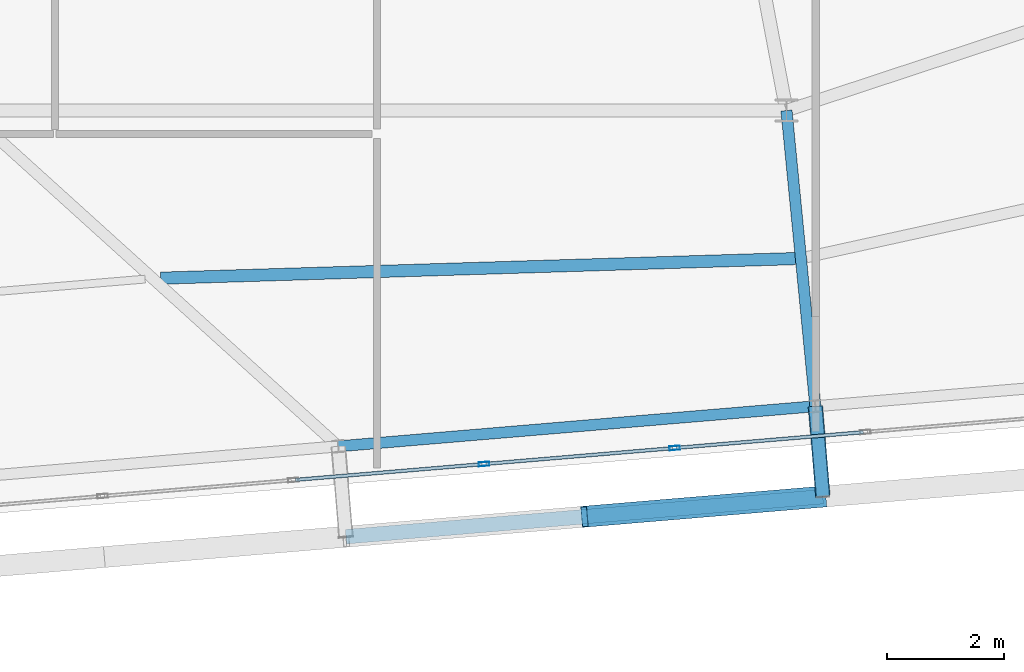
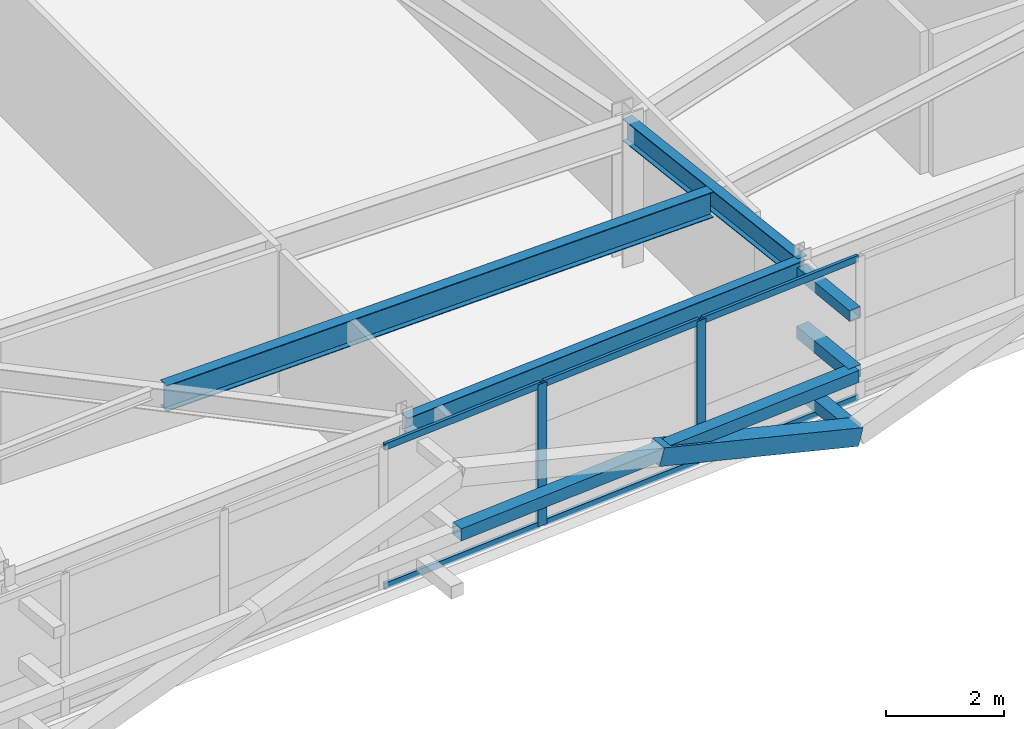
# One storey, part 12 of 46: 13 members, 3 beams, 1 element without a shape of its own.
"""IFC4 building model written with IfcOpenShell, lengths in metres."""

from ifc_helpers import new_model, si_unit, direction, frame, origin, origin_2d, place, context, subcontext, project, spatial, hollow_rectangle, i_section, extrude, source, transform, mapped, material, layer, layer_set, material_profile, profile_set, type_object, element, aggregate, save


model = new_model("IFC4")

# Units and contexts
model_context = context("Model", 3, precision=1e-05, world=origin(), true_north=direction((0.0, 1.0)))
body_context = subcontext(model_context, "Body", "Model", "MODEL_VIEW")
ifc_project = project(units=[si_unit("LENGTHUNIT", "METRE"), si_unit("AREAUNIT", "SQUARE_METRE"), si_unit("VOLUMEUNIT", "CUBIC_METRE"), si_unit("PLANEANGLEUNIT", "RADIAN"), si_unit("MASSUNIT", "GRAM", prefix="KILO")], contexts=[model_context])

# Site, building, storey
site_placement = place(None, origin())
site = spatial("IfcSite", under=ifc_project, at=site_placement, CompositionType="ELEMENT")
building_placement = place(site_placement, origin())
building = spatial("IfcBuilding", under=site, at=building_placement, Name="Taldren Reach Tower", CompositionType="ELEMENT")
storey_placement = place(building_placement, frame((0.0, 0.0, 188.300048828125)))
storey = spatial("IfcBuildingStorey", under=building, at=storey_placement, Name="L57", CompositionType="ELEMENT", Elevation=188.300048828125)

# Members
ifc_material_1 = material(Name="Steel Gr 350 (C350L0)", Category="steel")
ifc_material_profile_1 = material_profile(ifc_material_1, hollow_rectangle(XDim=0.25, YDim=0.25, WallThickness=0.010009765625, at=origin_2d()), Name="250x250x10.0SHS")
ifc_profile_set_1 = profile_set([ifc_material_profile_1], Name="Steel Gr 350 (C350L0)")
member_type_1 = type_object("IfcMemberType", Name="MB-POST250", PredefinedType="POST", material=ifc_profile_set_1)
shared_shape_1 = source(origin(), body_context, "Body", "SweptSolid", [
    extrude(hollow_rectangle(XDim=0.25, YDim=0.25, WallThickness=0.010009765625, at=origin_2d()), origin(), (0.0, 0.0, 1.0), 1.5498046875),
])
for number, where, z_axis, x_axis, name in (
    (1, (42.49365234375, 4.1474609375, 0.219970703125), (0.083645141657, -0.996495604746, 0.0), (0.996495604746, 0.083645141657, 0.0), "Exoskeleton base diaphragm tie strut B4-S4 L57"),
    (2, (42.49365234375, 4.1474609375, 1.43505859375), (0.083645141657, -0.996495604746, 0.0), (0.996495604746, 0.083645141657, 0.0), "Exoskeleton mid-tier diaphragm tie B4-S4 L57"),
):
    element("IfcMember", number, at=place(storey_placement, frame(where, z_axis=z_axis, x_axis=x_axis)), inside=storey, type_object=member_type_1, Name=name, PredefinedType="POST", context=body_context, shape_type="MappedRepresentation", body=[
        mapped(shared_shape_1, transform((0.0, 0.0, 0.0), scale=1.0)),
    ])

# Beams
ifc_material_2 = material(Name="Steel Gr 350 (350PLUS)", Category="steel")
ifc_material_profile_2 = material_profile(ifc_material_2, i_section(OverallWidth=0.18994140625, OverallDepth=0.4541015625, WebThickness=0.008544921875, FlangeThickness=0.0126953125, at=origin_2d()), Name="460UB67.1")
ifc_profile_set_2 = profile_set([ifc_material_profile_2], Name="Steel Gr 350 (350PLUS)")
beam_type_1 = type_object("IfcBeamType", Name="SP-UB460B", PredefinedType="SPANDREL", material=ifc_profile_set_2)
shared_shape_2 = source(origin(), body_context, "Body", "SweptSolid", [
    extrude(i_section(OverallWidth=0.18994140625, OverallDepth=0.4541015625, WebThickness=0.008544921875, FlangeThickness=0.0126953125, at=origin_2d()), origin(), (0.0, 0.0, 1.0), 8.18017578125),
])
beam_1_placement = place(storey_placement, frame((34.34228515625, 3.462890625, 2.702880859375), z_axis=(0.996492034688, 0.083687662192, 0.0), x_axis=(-0.083687662192, 0.996492034688, 0.0)))
element("IfcBeam", 3, at=beam_1_placement, inside=storey, type_object=beam_type_1, Name="Perimeter spandrel B4 S3-S4 L57", PredefinedType="SPANDREL", context=body_context, shape_type="MappedRepresentation", body=[
    mapped(shared_shape_2, transform((0.0, 0.0, 0.0), scale=1.0)),
])
ifc_material_profile_3 = material_profile(ifc_material_2, i_section(OverallWidth=0.19091796875, OverallDepth=0.4599609375, WebThickness=0.010009765625, FlangeThickness=0.01611328125, at=origin_2d()), Name="460UB82.1")
ifc_profile_set_3 = profile_set([ifc_material_profile_3], Name="Steel Gr 350 (350PLUS)")
beam_type_2 = type_object("IfcBeamType", Name="BM-UB460A", PredefinedType="BEAM", material=ifc_profile_set_3)
shared_shape_3 = source(origin(), body_context, "Body", "SweptSolid", [
    extrude(i_section(OverallWidth=0.19091796875, OverallDepth=0.4599609375, WebThickness=0.010009765625, FlangeThickness=0.01611328125, at=origin_2d()), origin(), (0.0, 0.0, 1.0), 5.07666015625),
])
beam_2_placement = place(storey_placement, frame((42.0, 9.199951171875, 2.699951171875), z_axis=(0.097241716644, -0.995260794236, 0.0), x_axis=(0.995260794236, 0.097241716644, 0.0)))
element("IfcBeam", 4, at=beam_2_placement, inside=storey, type_object=beam_type_2, Name="Primary floor girder B4-S4 L57", PredefinedType="BEAM", context=body_context, shape_type="MappedRepresentation", body=[
    mapped(shared_shape_3, transform((0.0, 0.0, 0.0), scale=1.0)),
])
ifc_material_profile_4 = material_profile(ifc_material_2, i_section(OverallWidth=0.208984375, OverallDepth=0.532958984375, WebThickness=0.01025390625, FlangeThickness=0.015625, at=origin_2d()), Name="530UB92.4")
ifc_profile_set_4 = profile_set([ifc_material_profile_4], Name="Steel Gr 350 (350PLUS)")
beam_type_3 = type_object("IfcBeamType", Name="BM-UB530A", PredefinedType="BEAM", material=ifc_profile_set_4)
shared_shape_4 = source(origin(), body_context, "Body", "SweptSolid", [
    extrude(i_section(OverallWidth=0.208984375, OverallDepth=0.532958984375, WebThickness=0.01025390625, FlangeThickness=0.015625, at=origin_2d()), origin(), (0.0, 0.0, 1.0), 10.847412109375),
])
beam_3_placement = place(storey_placement, frame((31.308837890625, 6.335693359375, 2.663330078125), z_axis=(0.999522428572, 0.030901695439, 0.0), x_axis=(-0.030901695439, 0.999522428572, 0.0)))
element("IfcBeam", 5, at=beam_3_placement, inside=storey, type_object=beam_type_3, Name="Secondary floor beam B4 J3 L57", PredefinedType="BEAM", context=body_context, shape_type="MappedRepresentation", body=[
    mapped(shared_shape_4, transform((0.0, 0.0, 0.0), scale=1.0)),
])

# Members
ifc_material_3 = material(Name="Steel Gr 450 (C450L0)", Category="steel")
ifc_material_profile_5 = material_profile(ifc_material_3, hollow_rectangle(XDim=0.219970703125, YDim=0.219970703125, WallThickness=0.00830078125, at=origin_2d()), Name="220x220x8.2SHS")
ifc_profile_set_5 = profile_set([ifc_material_profile_5], Name="Steel Gr 450 (C450L0)")
member_type_2 = type_object("IfcMemberType", Name="MB-TIE219", PredefinedType="STRUT", material=ifc_profile_set_5)
shared_shape_5 = source(origin(), body_context, "Body", "SweptSolid", [
    extrude(hollow_rectangle(XDim=0.219970703125, YDim=0.219970703125, WallThickness=0.00830078125, at=origin_2d()), origin(), (0.0, 0.0, 1.0), 1.5498046875),
])
member_1_placement = place(storey_placement, frame((42.49365234375, 4.1474609375, 2.64990234375), z_axis=(0.083645141657, -0.996495604746, 0.0), x_axis=(0.996495604746, 0.083645141657, 0.0)))
element("IfcMember", 6, at=member_1_placement, inside=storey, type_object=member_type_2, Name="Exoskeleton diaphragm tie strut B4-S4 L57", PredefinedType="STRUT", context=body_context, shape_type="MappedRepresentation", body=[
    mapped(shared_shape_5, transform((0.0, 0.0, 0.0), scale=1.0)),
])
shared_shape_6 = source(origin(), body_context, "Body", "SweptSolid", [
    extrude(hollow_rectangle(XDim=0.25, YDim=0.25, WallThickness=0.010009765625, at=origin_2d()), origin(), (0.0, 0.0, 1.0), 8.18017578125),
])
member_2_placement = place(storey_placement, frame((34.471923828125, 1.91845703125, 1.43505859375), z_axis=(0.996492034688, 0.083687662192, 0.0), x_axis=(-0.083687662192, 0.996492034688, 0.0)))
element("IfcMember", 7, at=member_2_placement, inside=storey, type_object=member_type_1, Name="Exoskeleton mid-height ring chord B4-S3 L57", PredefinedType="POST", context=body_context, shape_type="MappedRepresentation", body=[
    mapped(shared_shape_6, transform((0.0, 0.0, 0.0), scale=1.0)),
])
ifc_material_profile_6 = material_profile(ifc_material_3, hollow_rectangle(XDim=0.360107421875, YDim=0.360107421875, WallThickness=0.0126953125, at=origin_2d()), Name="360x360x12.7SHS")
ifc_profile_set_6 = profile_set([ifc_material_profile_6], Name="Steel Gr 450 (C450L0)")
member_type_3 = type_object("IfcMemberType", Name="MB-EXO356", PredefinedType="BRACE", material=ifc_profile_set_6)
shared_shape_7 = source(origin(), body_context, "Body", "SweptSolid", [
    extrude(hollow_rectangle(XDim=0.360107421875, YDim=0.360107421875, WallThickness=0.0126953125, at=origin_2d()), origin(), (0.0, 0.0, 1.0), 4.2666015625),
])
member_3_placement = place(storey_placement, frame((42.623291015625, 2.60302734375, 0.219970703125), z_axis=(-0.955229159097, -0.080222312271, 0.284783486572), x_axis=(0.083687662192, -0.996492034688, 0.0)))
element("IfcMember", 8, at=member_3_placement, inside=storey, type_object=member_type_3, Name="Exoskeleton Diagrid Brace B4-S3 L57", PredefinedType="BRACE", context=body_context, shape_type="MappedRepresentation", body=[
    mapped(shared_shape_7, transform((0.0, 0.0, 0.0), scale=1.0)),
])

# Curtain wall, members
ifc_material_4 = material(Name="Aluminium and Low-E Glass Unitised System", Category="aluminium")
ifc_layer = layer(ifc_material_4, 0.159912109375)
ifc_layer_set = layer_set([ifc_layer], Name="Aluminium and Low-E Glass Unitised System")
curtain_wall_type = type_object("IfcCurtainWallType", Name="CW-SYS-5", PredefinedType="NOTDEFINED", material=ifc_layer_set)
curtain_wall_placement = place(storey_placement, origin())
curtain_wall = element("IfcCurtainWall", 9, at=curtain_wall_placement, inside=storey, type_object=curtain_wall_type, Name="Unitised curtain wall CW-L57-S", PredefinedType="NOTDEFINED")
ifc_material_5 = material(Name="Anodised Aluminium 6063-T6", Category="aluminium")
ifc_material_profile_7 = material_profile(ifc_material_5, hollow_rectangle(XDim=0.070068359375, YDim=0.179931640625, WallThickness=0.00390625, at=origin_2d()), Name="ALU-180x70x4RHS")
ifc_profile_set_7 = profile_set([ifc_material_profile_7], Name="Anodised Aluminium 6063-T6")
member_type_4 = type_object("IfcMemberType", Name="CW-MUL-180", PredefinedType="MULLION", material=ifc_profile_set_7)
shared_shape_8 = source(origin(), body_context, "Body", "SweptSolid", [
    extrude(hollow_rectangle(XDim=0.070068359375, YDim=0.179931640625, WallThickness=0.00390625, at=origin_2d()), origin(), (0.0, 0.0, 1.0), 2.929931640625),
])
member_4_placement = place(storey_placement, frame((36.831787109375, 3.16015625, 0.0), z_axis=(0.0, 0.0, 1.0), x_axis=(-0.083677894865, 0.996492854922, 0.0)))
member_4 = element("IfcMember", 10, at=member_4_placement, type_object=member_type_4, Name="CW-5 mullion 7", PredefinedType="MULLION", context=body_context, shape_type="MappedRepresentation", body=[
    mapped(shared_shape_8, transform((0.0, 0.0, 0.0), scale=1.0)),
])
member_5_placement = place(storey_placement, frame((40.089599609375, 3.433837890625, 0.0), z_axis=(0.0, 0.0, 1.0), x_axis=(-0.083677894865, 0.996492854922, 0.0)))
member_5 = element("IfcMember", 11, at=member_5_placement, type_object=member_type_4, Name="CW-5 mullion 8", PredefinedType="MULLION", context=body_context, shape_type="MappedRepresentation", body=[
    mapped(shared_shape_8, transform((0.0, 0.0, 0.0), scale=1.0)),
])
ifc_material_profile_8 = material_profile(ifc_material_5, hollow_rectangle(XDim=0.06005859375, YDim=0.135009765625, WallThickness=0.00341796875, at=origin_2d()), Name="ALU-135x60x3.5RHS")
ifc_profile_set_8 = profile_set([ifc_material_profile_8], Name="Anodised Aluminium 6063-T6")
member_type_5 = type_object("IfcMemberType", Name="CW-TRN-150", PredefinedType="USERDEFINED", material=ifc_profile_set_8)
shared_shape_9 = source(origin(), body_context, "Body", "SweptSolid", [
    extrude(hollow_rectangle(XDim=0.06005859375, YDim=0.135009765625, WallThickness=0.00341796875, at=origin_2d()), origin(), (0.0, 0.0, 1.0), 3.19921875),
])
member_6_placement = place(storey_placement, frame((33.60888671875, 2.8896484375, 0.030029296875), z_axis=(0.996496109493, 0.083639128198, 0.0), x_axis=(-0.083639128198, 0.996496109493, 0.0)))
member_6 = element("IfcMember", 12, at=member_6_placement, type_object=member_type_5, Name="CW-5 transom 6.1", ObjectType="TRANSOM", PredefinedType="USERDEFINED", context=body_context, shape_type="MappedRepresentation", body=[
    mapped(shared_shape_9, transform((0.0, 0.0, 0.0), scale=1.0)),
])
member_7_placement = place(storey_placement, frame((33.60888671875, 2.8896484375, 2.89990234375), z_axis=(0.996496109493, 0.083639128198, 0.0), x_axis=(-0.083639128198, 0.996496109493, 0.0)))
member_7 = element("IfcMember", 13, at=member_7_placement, type_object=member_type_5, Name="CW-5 transom 6.2", ObjectType="TRANSOM", PredefinedType="USERDEFINED", context=body_context, shape_type="MappedRepresentation", body=[
    mapped(shared_shape_9, transform((0.0, 0.0, 0.0), scale=1.0)),
])
member_8_placement = place(storey_placement, frame((36.86669921875, 3.1630859375, 0.030029296875), z_axis=(0.996489746258, 0.083714906697, 0.0), x_axis=(-0.083714906697, 0.996489746258, 0.0)))
member_8 = element("IfcMember", 14, at=member_8_placement, type_object=member_type_5, Name="CW-5 transom 7.1", ObjectType="TRANSOM", PredefinedType="USERDEFINED", context=body_context, shape_type="MappedRepresentation", body=[
    mapped(shared_shape_9, transform((0.0, 0.0, 0.0), scale=1.0)),
])
member_9_placement = place(storey_placement, frame((36.86669921875, 3.1630859375, 2.89990234375), z_axis=(0.996489746258, 0.083714906697, 0.0), x_axis=(-0.083714906697, 0.996489746258, 0.0)))
member_9 = element("IfcMember", 15, at=member_9_placement, type_object=member_type_5, Name="CW-5 transom 7.2", ObjectType="TRANSOM", PredefinedType="USERDEFINED", context=body_context, shape_type="MappedRepresentation", body=[
    mapped(shared_shape_9, transform((0.0, 0.0, 0.0), scale=1.0)),
])
member_10_placement = place(storey_placement, frame((40.124267578125, 3.436767578125, 0.030029296875), z_axis=(0.996496109493, 0.083639128198, 0.0), x_axis=(-0.083639128198, 0.996496109493, 0.0)))
member_10 = element("IfcMember", 16, at=member_10_placement, type_object=member_type_5, Name="CW-5 transom 8.1", ObjectType="TRANSOM", PredefinedType="USERDEFINED", context=body_context, shape_type="MappedRepresentation", body=[
    mapped(shared_shape_9, transform((0.0, 0.0, 0.0), scale=1.0)),
])
member_11_placement = place(storey_placement, frame((40.124267578125, 3.436767578125, 2.89990234375), z_axis=(0.996496109493, 0.083639128198, 0.0), x_axis=(-0.083639128198, 0.996496109493, 0.0)))
member_11 = element("IfcMember", 17, at=member_11_placement, type_object=member_type_5, Name="CW-5 transom 8.2", ObjectType="TRANSOM", PredefinedType="USERDEFINED", context=body_context, shape_type="MappedRepresentation", body=[
    mapped(shared_shape_9, transform((0.0, 0.0, 0.0), scale=1.0)),
])
aggregate(curtain_wall, [member_4, member_5, member_6, member_7, member_8, member_9, member_10, member_11])

save(model, "model.ifc")
